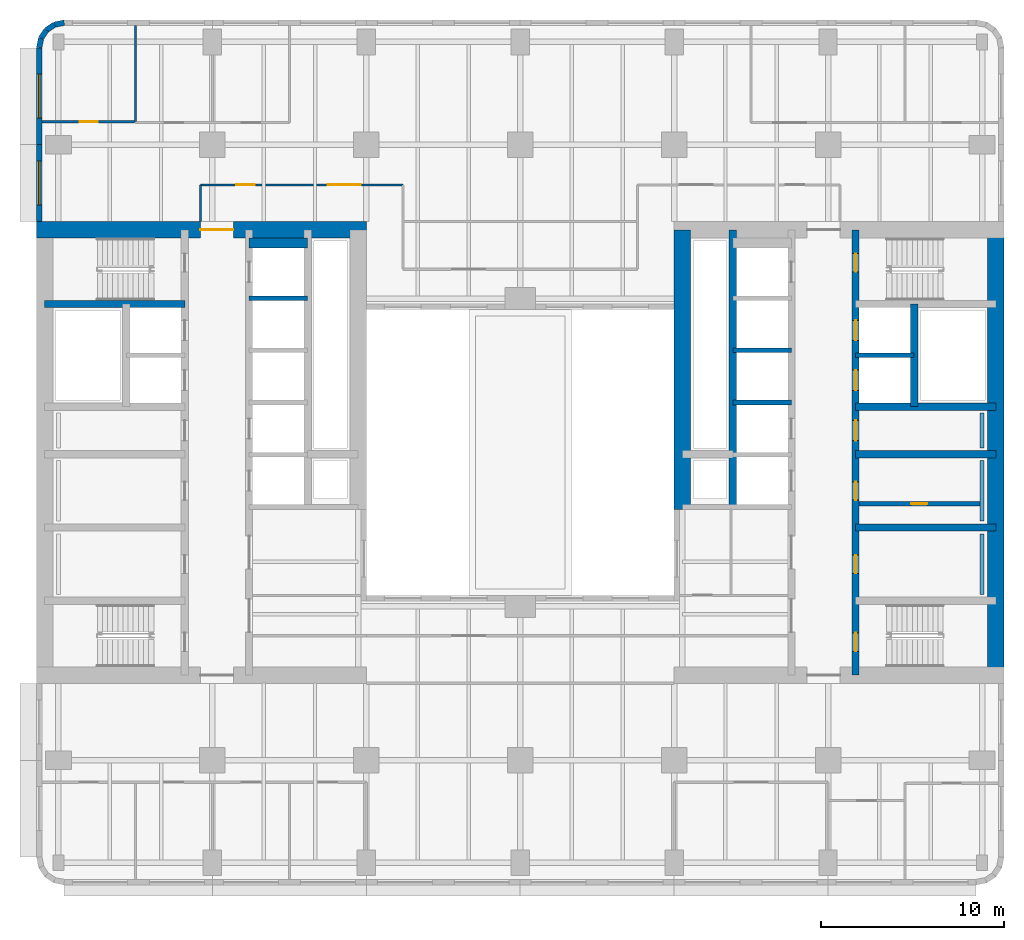
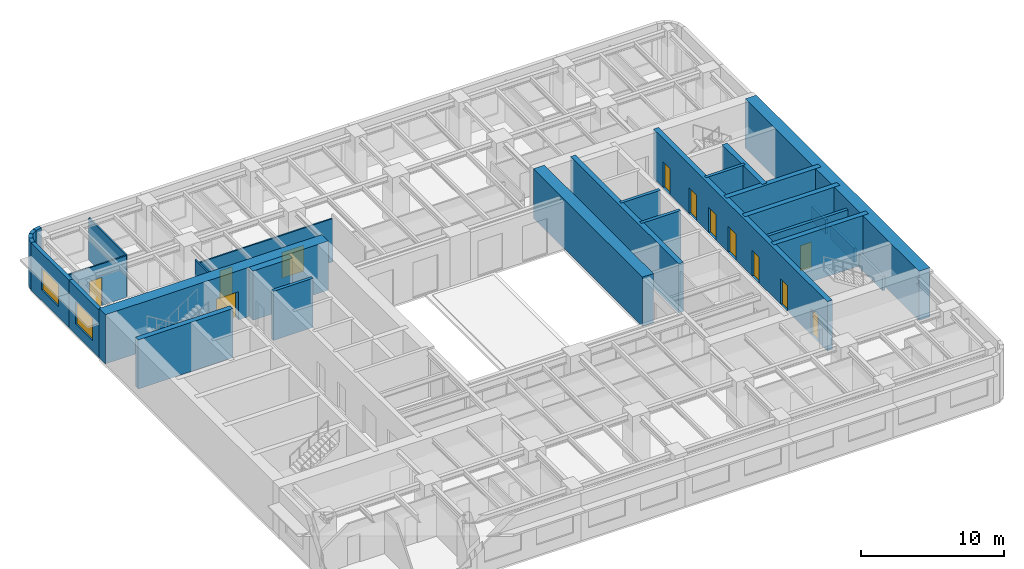
# One storey, part 6 of 14: 29 walls, 12 doors, 2 windows, 14 openings.
"""IFC4 building model written with IfcOpenShell, lengths in metres."""

import ifcopenshell
import ifcopenshell.guid

model = None  # the IFC model being written
_history = None  # IfcOwnerHistory: only IFC2X3 demands one
_inside = {}  # id of a spatial element -> (the spatial element, [elements in it])
_under = {}  # id of a project, library or spatial element -> (it, [spatial elements below it])
_declared = {}  # id of a project -> (the project, [libraries it declares])
_typed = {}  # id of a type object -> (the type object, [elements of that type])
_made_of = {}  # id of a material, layer set ... -> (it, [elements and type objects made of it])


def new_model(schema):
    """Start an empty IFC model of exactly this schema.

    Asked for "IFC4X3", IfcOpenShell would pick the latest addendum, in which some entities
    have other attributes; the version numbers below select the first issue.
    IFC2X3 requires an IfcOwnerHistory on every rooted entity: one is made here for all.
    """
    global model, _history
    if schema == "IFC4X3":
        model = ifcopenshell.file(schema_version=(4, 3, 0, 0))
    else:
        model = ifcopenshell.file(schema=schema)
    _inside.clear()
    _under.clear()
    _declared.clear()
    _typed.clear()
    _made_of.clear()
    _history = None
    if model.schema == "IFC2X3":
        org = make("IfcOrganization", Name="unknown")
        user = make(
            "IfcPersonAndOrganization",
            ThePerson=make("IfcPerson", FamilyName="unknown"),
            TheOrganization=org,
        )
        app = make(
            "IfcApplication",
            ApplicationDeveloper=org,
            Version="unknown",
            ApplicationFullName="unknown",
            ApplicationIdentifier="unknown",
        )
        _history = make(
            "IfcOwnerHistory",
            OwningUser=user,
            OwningApplication=app,
            ChangeAction="ADDED",
            CreationDate=0,
        )
    return model


def make(cls, **values):
    """One entity of the class cls with the attributes given. An attribute that is None is left unset."""
    return model.create_entity(
        cls, **{name: value for name, value in values.items() if value is not None}
    )


def rooted(cls, **values):
    """An entity with a GlobalId (a new one), such as an element, a storey or a relation."""
    return make(cls, GlobalId=ifcopenshell.guid.new(), OwnerHistory=_history, **values)


def si_unit(unit_type, name, prefix=None):
    """IfcSIUnit, for example si_unit("LENGTHUNIT", "METRE", prefix="MILLI")."""
    return make("IfcSIUnit", UnitType=unit_type, Prefix=prefix, Name=name)


def assignment(units):
    """IfcUnitAssignment: the units of a project."""
    return None if units is None else make("IfcUnitAssignment", Units=units)


def point(xyz):
    """IfcCartesianPoint."""
    return None if xyz is None else make("IfcCartesianPoint", Coordinates=xyz)


def direction(xyz):
    """IfcDirection."""
    return None if xyz is None else make("IfcDirection", DirectionRatios=xyz)


def frame(location, z_axis=None, x_axis=None):
    """IfcAxis2Placement3D, a coordinate frame: its origin and axes. An axis left out is left unset."""
    return make(
        "IfcAxis2Placement3D",
        Location=point(location),
        Axis=direction(z_axis),
        RefDirection=direction(x_axis),
    )


def frame_2d(location, x_axis=None):
    """IfcAxis2Placement2D, a coordinate frame in the plane: its origin and x axis."""
    return make(
        "IfcAxis2Placement2D", Location=point(location), RefDirection=direction(x_axis)
    )


def origin():
    """The frame at (0, 0, 0) with its axes left unset."""
    return frame((0.0, 0.0, 0.0))


def place(relative_to, where):
    """IfcLocalPlacement: puts the frame where relative to a parent placement (None: the world)."""
    return make(
        "IfcLocalPlacement", PlacementRelTo=relative_to, RelativePlacement=where
    )


def context(
    kind, dimensions, precision=None, world=None, true_north=None, identifier=None
):
    """IfcGeometricRepresentationContext, for example the 3D "Model" context."""
    return make(
        "IfcGeometricRepresentationContext",
        ContextIdentifier=identifier,
        ContextType=kind,
        CoordinateSpaceDimension=dimensions,
        Precision=precision,
        WorldCoordinateSystem=world,
        TrueNorth=true_north,
    )


def subcontext(parent, identifier, kind, view, scale=None):
    """IfcGeometricRepresentationSubContext, for example "Body" below "Model"."""
    return make(
        "IfcGeometricRepresentationSubContext",
        ContextIdentifier=identifier,
        ContextType=kind,
        ParentContext=parent,
        TargetScale=scale,
        TargetView=view,
    )


def project(units=None, contexts=None):
    """IfcProject with its units and contexts."""
    return rooted(
        "IfcProject",
        Name="project",
        RepresentationContexts=contexts,
        UnitsInContext=assignment(units),
    )


def spatial(cls, under=None, at=None, **own):
    """A site, building, storey or space (cls), placed at a placement, below another one or the project."""
    s = rooted(cls, ObjectPlacement=at, **own)
    if under is not None:
        _under.setdefault(under.id(), (under, []))[1].append(s)
    return s


def profile(cls, at=None, kind="AREA", **sizes):
    """A parametric profile (cls). Its sizes go by their IFC names, for example OverallWidth=200.0."""
    return make(cls, ProfileType=kind, Position=at, **sizes)


def rectangle(**sizes):
    """IfcRectangleProfileDef."""
    return profile("IfcRectangleProfileDef", **sizes)


def extrude(swept, where, along, depth):
    """IfcExtrudedAreaSolid: the profile swept, set in the frame where, extruded along a direction by depth."""
    return make(
        "IfcExtrudedAreaSolid",
        SweptArea=swept,
        Position=where,
        ExtrudedDirection=direction(along),
        Depth=depth,
    )


def shape(context_of_items, identifier, shape_type, items):
    """IfcShapeRepresentation: the items that make up one representation, for example the "Body"."""
    return make(
        "IfcShapeRepresentation",
        ContextOfItems=context_of_items,
        RepresentationIdentifier=identifier,
        RepresentationType=shape_type,
        Items=items,
    )


def material(Name=None, Category=None):
    """IfcMaterial."""
    return make("IfcMaterial", Name=Name, Category=Category)


def layer(
    of_material, thickness, ventilated=None, Name=None, Category=None, Priority=None
):
    """IfcMaterialLayer: one layer of a wall or slab, of a material (None: an air gap)."""
    return make(
        "IfcMaterialLayer",
        Material=of_material,
        LayerThickness=thickness,
        IsVentilated=ventilated,
        Name=Name,
        Category=Category,
        Priority=Priority,
    )


def layer_set(layers, Name=None):
    """IfcMaterialLayerSet."""
    return make("IfcMaterialLayerSet", MaterialLayers=layers, LayerSetName=Name)


def made_of(thing, what):
    """Note that an element or type object is made of a material, layer set ...; save() writes the relation."""
    if what is not None:
        _made_of.setdefault(what.id(), (what, []))[1].append(thing)
    return thing


def type_object(cls, material=None, **own):
    """A type object (cls), such as IfcWallType, which elements share."""
    return made_of(rooted(cls, **own), material)


def element(
    cls,
    number,
    at=None,
    inside=None,
    cuts=None,
    type_object=None,
    material=None,
    context=None,
    identifier="Body",
    shape_type=None,
    held_by="IfcProductDefinitionShape",
    body=None,
    shapes=None,
    **own,
):
    """One element of the class cls, such as IfcWall. Its Tag is "e" and its number.

    at: its placement. inside: the storey or other place that contains it. cuts: it is an
    opening in that element (IfcRelVoidsElement). A single representation is given by context,
    identifier, shape_type and body (its items); several are given by shapes. held_by: the class
    of the entity that holds the representations. save() writes the other relations.
    """
    e = rooted(cls, Tag="e%d" % number, ObjectPlacement=at, **own)
    if body is not None:
        shapes = [shape(context, identifier, shape_type, body)]
    if shapes is not None:
        e.Representation = make(held_by, Representations=shapes)
    if inside is not None:
        _inside.setdefault(inside.id(), (inside, []))[1].append(e)
    if cuts is not None:
        rooted(
            "IfcRelVoidsElement", RelatingBuildingElement=cuts, RelatedOpeningElement=e
        )
    if type_object is not None:
        _typed.setdefault(type_object.id(), (type_object, []))[1].append(e)
    return made_of(e, material)


def fill(opening, filler):
    """IfcRelFillsElement: the door or window that sits in an opening."""
    return rooted(
        "IfcRelFillsElement",
        RelatingOpeningElement=opening,
        RelatedBuildingElement=filler,
    )


def aggregate(whole, parts):
    """IfcRelAggregates: a whole, such as a stair, and the parts it consists of."""
    return rooted("IfcRelAggregates", RelatingObject=whole, RelatedObjects=parts)


def save(model, path):
    """Write the relations noted so far, then the file.

    IfcRelAggregates (storeys below a building ...), IfcRelContainedInSpatialStructure (elements
    in a storey), IfcRelDefinesByType, IfcRelAssociatesMaterial and IfcRelDeclares: one each for
    every whole, place, type object, material and project.
    """
    for whole, parts in _under.values():
        aggregate(whole, parts)
    for where, things in _inside.values():
        rooted(
            "IfcRelContainedInSpatialStructure",
            RelatedElements=things,
            RelatingStructure=where,
        )
    for kind, things in _typed.values():
        rooted("IfcRelDefinesByType", RelatedObjects=things, RelatingType=kind)
    for what, things in _made_of.values():
        rooted("IfcRelAssociatesMaterial", RelatedObjects=things, RelatingMaterial=what)
    for by, libraries in _declared.values():
        rooted("IfcRelDeclares", RelatingContext=by, RelatedDefinitions=libraries)
    model.write(path)


model = new_model("IFC4")

# Units and contexts
model_context = context("Model", 3, precision=1e-05, world=origin(), true_north=direction((0.0, 1.0)))
body_context = subcontext(model_context, "Body", "Model", "MODEL_VIEW")
ifc_project = project(units=[si_unit("LENGTHUNIT", "METRE"), si_unit("AREAUNIT", "SQUARE_METRE"), si_unit("VOLUMEUNIT", "CUBIC_METRE"), si_unit("PLANEANGLEUNIT", "RADIAN"), si_unit("MASSUNIT", "GRAM", prefix="KILO")], contexts=[model_context])

# Site, building, storey
site_placement = place(None, origin())
site = spatial("IfcSite", under=ifc_project, at=site_placement, CompositionType="ELEMENT")
building_placement = place(site_placement, origin())
building = spatial("IfcBuilding", under=site, at=building_placement, Name="Claustro Exchange Tower", CompositionType="ELEMENT")
storey_placement = place(building_placement, frame((0.0, 0.0, 100.800048828125)))
storey = spatial("IfcBuildingStorey", under=building, at=storey_placement, Name="L22", CompositionType="ELEMENT", Elevation=100.800048828125)

# Wall, opening, door
ifc_material_1 = material(Name="Laminated glass in aluminium frame", Category="aluminium")
ifc_layer_1 = layer(ifc_material_1, 0.1201171875)
ifc_layer_set_1 = layer_set([ifc_layer_1], Name="Laminated glass in aluminium frame")
wall_type_1 = type_object("IfcWallType", Name="P2 120 glazed partition", PredefinedType="PARTITIONING", material=ifc_layer_set_1)
wall_1_placement = place(storey_placement, frame((-0.902099609375, 43.25, 0.0), z_axis=(0.0, 0.0, 1.0), x_axis=(1.0, 0.0, 0.0)))
wall_1 = element("IfcWall", 1, at=wall_1_placement, inside=storey, type_object=wall_type_1, Name="Partition P2 L22", PredefinedType="PARTITIONING", context=body_context, shape_type="SweptSolid", body=[
    extrude(rectangle(XDim=5.044189453125, YDim=0.1201171875, at=frame_2d((2.52197265625, 0.0))), origin(), (0.0, 0.0, 1.0), 3.56005859375),
])
opening_1_placement = place(wall_1_placement, frame((2.052001953125, 0.0, 0.0)))
opening_1 = element("IfcOpeningElement", 2, at=opening_1_placement, cuts=wall_1, Name="Opening D7", PredefinedType="OPENING", context=body_context, shape_type="SweptSolid", body=[
    extrude(rectangle(XDim=1.0, YDim=2.39990234375, at=frame_2d((0.5, 1.199951171875))), frame((0.0, 0.070068359375, 0.0), z_axis=(0.0, -1.0, 0.0), x_axis=(1.0, 0.0, 0.0)), (0.0, 0.0, 1.0), 0.14013671875),
])
ifc_material_2 = material(Name="Glass door in aluminium frame", Category="aluminium")
door_type_1 = type_object("IfcDoorType", Name="D7 1000 x 2400 glazed door", OperationType="SINGLE_SWING_LEFT", PredefinedType="DOOR", material=ifc_material_2)
door_1_placement = place(opening_1_placement, origin())
door_1 = element("IfcDoor", 3, at=door_1_placement, inside=storey, type_object=door_type_1, Name="Door D7 L22", OperationType="SINGLE_SWING_RIGHT", OverallHeight=2.39990234375, OverallWidth=1.0, PredefinedType="DOOR", context=body_context, shape_type="SweptSolid", body=[
    extrude(rectangle(XDim=1.0, YDim=2.39990234375, at=frame_2d((0.5, 1.199951171875))), frame((0.0, 0.02490234375, 0.0), z_axis=(0.0, -1.0, 0.0), x_axis=(1.0, 0.0, 0.0)), (0.0, 0.0, 1.0), 0.050048828125),
])
fill(opening_1, door_1)

# Wall
wall_2_placement = place(storey_placement, frame((4.199951171875, 43.258056640625, 0.0), z_axis=(0.0, 0.0, 1.0), x_axis=(0.0, 1.0, 0.0)))
element("IfcWall", 4, at=wall_2_placement, inside=storey, type_object=wall_type_1, Name="Partition P2 L22", PredefinedType="PARTITIONING", context=body_context, shape_type="SweptSolid", body=[
    extrude(rectangle(XDim=5.243896484375, YDim=0.1201171875, at=frame_2d((2.6220703125, 0.0))), origin(), (0.0, 0.0, 1.0), 3.56005859375),
])

# Wall, openings, doors
wall_3_placement = place(storey_placement, frame((7.75, 39.800048828125, 0.0), z_axis=(0.0, 0.0, 1.0), x_axis=(1.0, 0.0, 0.0)))
wall_3 = element("IfcWall", 5, at=wall_3_placement, inside=storey, type_object=wall_type_1, Name="Partition P2 L22", PredefinedType="PARTITIONING", context=body_context, shape_type="SweptSolid", body=[
    extrude(rectangle(XDim=11.050048828125, YDim=0.1201171875, at=frame_2d((5.52490234375, 0.0))), origin(), (0.0, 0.0, 1.0), 3.68994140625),
])
opening_2_placement = place(wall_3_placement, frame((1.949951171875, 0.0, 0.0)))
opening_2 = element("IfcOpeningElement", 6, at=opening_2_placement, cuts=wall_3, Name="Opening D7", PredefinedType="OPENING", context=body_context, shape_type="SweptSolid", body=[
    extrude(rectangle(XDim=1.0, YDim=2.39990234375, at=frame_2d((0.5, 1.199951171875))), frame((0.0, 0.070068359375, 0.0), z_axis=(0.0, -1.0, 0.0), x_axis=(1.0, 0.0, 0.0)), (0.0, 0.0, 1.0), 0.14013671875),
])
opening_3_placement = place(wall_3_placement, frame((6.949951171875, 0.0, 0.0)))
opening_3 = element("IfcOpeningElement", 7, at=opening_3_placement, cuts=wall_3, Name="Opening D2", PredefinedType="OPENING", context=body_context, shape_type="SweptSolid", body=[
    extrude(rectangle(XDim=1.800048828125, YDim=2.199951171875, at=frame_2d((0.89990234375, 1.10009765625))), frame((0.0, 0.070068359375, 0.0), z_axis=(0.0, -1.0, 0.0), x_axis=(1.0, 0.0, 0.0)), (0.0, 0.0, 1.0), 0.14013671875),
])
ifc_material_3 = material(Name="Timber door, oak veneer", Category="wood")
door_type_2 = type_object("IfcDoorType", Name="D2 1800 x 2200 double door", OperationType="DOUBLE_DOOR_SINGLE_SWING", PredefinedType="DOOR", material=ifc_material_3)
door_2_placement = place(opening_3_placement, origin())
door_2 = element("IfcDoor", 8, at=door_2_placement, inside=storey, type_object=door_type_2, Name="Double door D2 L22", OperationType="DOUBLE_DOOR_SINGLE_SWING", OverallHeight=2.199951171875, OverallWidth=1.800048828125, PredefinedType="DOOR", context=body_context, shape_type="SweptSolid", body=[
    extrude(rectangle(XDim=1.800048828125, YDim=2.199951171875, at=frame_2d((0.89990234375, 1.10009765625))), frame((0.0, 0.02490234375, 0.0), z_axis=(0.0, -1.0, 0.0), x_axis=(1.0, 0.0, 0.0)), (0.0, 0.0, 1.0), 0.050048828125),
])
fill(opening_3, door_2)
door_3_placement = place(opening_2_placement, origin())
door_3 = element("IfcDoor", 9, at=door_3_placement, inside=storey, type_object=door_type_1, Name="Door D7 L22", OperationType="SINGLE_SWING_LEFT", OverallHeight=2.39990234375, OverallWidth=1.0, PredefinedType="DOOR", context=body_context, shape_type="SweptSolid", body=[
    extrude(rectangle(XDim=1.0, YDim=2.39990234375, at=frame_2d((0.5, 1.199951171875))), frame((0.0, 0.02490234375, 0.0), z_axis=(0.0, -1.0, 0.0), x_axis=(1.0, 0.0, 0.0)), (0.0, 0.0, 1.0), 0.050048828125),
])
fill(opening_2, door_3)

# Wall
wall_4_placement = place(storey_placement, frame((7.75, 37.800048828125, 0.0), z_axis=(0.0, 0.0, 1.0), x_axis=(0.0, 1.0, 0.0)))
element("IfcWall", 10, at=wall_4_placement, inside=storey, type_object=wall_type_1, Name="Partition P2 L22", PredefinedType="PARTITIONING", context=body_context, shape_type="SweptSolid", body=[
    extrude(rectangle(XDim=2.0, YDim=0.1201171875, at=frame_2d((1.0, 0.0))), origin(), (0.0, 0.0, 1.0), 4.050048828125),
])

# Wall, opening, door
ifc_material_4 = material(Name="Concrete blockwork, rendered", Category="masonry")
ifc_layer_2 = layer(ifc_material_4, 0.25)
ifc_layer_set_2 = layer_set([ifc_layer_2], Name="Concrete blockwork, rendered")
wall_type_2 = type_object("IfcWallType", Name="P4 250 blockwork wall", PredefinedType="PARTITIONING", material=ifc_layer_set_2)
wall_5_placement = place(storey_placement, frame((43.699951171875, 22.39990234375, 0.0), z_axis=(0.0, 0.0, 1.0), x_axis=(1.0, 0.0, 0.0)))
wall_5 = element("IfcWall", 11, at=wall_5_placement, inside=storey, type_object=wall_type_2, Name="Partition P4 L22", PredefinedType="PARTITIONING", context=body_context, shape_type="SweptSolid", body=[
    extrude(rectangle(XDim=6.60009765625, YDim=0.25, at=frame_2d((3.300048828125, 0.0))), origin(), (0.0, 0.0, 1.0), 4.0),
])
opening_4_placement = place(wall_5_placement, frame((2.824951171875, 0.0, 0.0)))
opening_4 = element("IfcOpeningElement", 12, at=opening_4_placement, cuts=wall_5, Name="Opening D5", PredefinedType="OPENING", context=body_context, shape_type="SweptSolid", body=[
    extrude(rectangle(XDim=0.89990234375, YDim=2.199951171875, at=frame_2d((0.449951171875, 1.10009765625))), frame((0.0, 0.135009765625, 0.0), z_axis=(0.0, -1.0, 0.0), x_axis=(1.0, 0.0, 0.0)), (0.0, 0.0, 1.0), 0.27001953125),
])
ifc_material_5 = material(Name="Steel door, painted", Category="steel")
door_type_3 = type_object("IfcDoorType", Name="D5 900 x 2200 store door", OperationType="SINGLE_SWING_LEFT", PredefinedType="DOOR", material=ifc_material_5)
door_4_placement = place(opening_4_placement, frame((0.89990234375, 0.0, 0.0), z_axis=(0.0, 0.0, 1.0), x_axis=(-1.0, 0.0, 0.0)))
door_4 = element("IfcDoor", 13, at=door_4_placement, inside=storey, type_object=door_type_3, Name="Store door D5 L22", OperationType="SINGLE_SWING_LEFT", OverallHeight=2.199951171875, OverallWidth=0.89990234375, PredefinedType="DOOR", context=body_context, shape_type="SweptSolid", body=[
    extrude(rectangle(XDim=0.89990234375, YDim=2.199951171875, at=frame_2d((0.449951171875, 1.10009765625))), frame((0.0, 0.02490234375, 0.0), z_axis=(0.0, -1.0, 0.0), x_axis=(1.0, 0.0, 0.0)), (0.0, 0.0, 1.0), 0.050048828125),
])
fill(opening_4, door_4)

# Wall, opening, window
ifc_material_6 = material(Name="Concrete HA-40 (C40/50), precast, white cement, acid-etched", Category="concrete")
ifc_layer_3 = layer(ifc_material_6, 0.300048828125)
ifc_layer_set_3 = layer_set([ifc_layer_3], Name="Concrete HA-40 (C40/50), precast, white cement, acid-etched")
wall_type_3 = type_object("IfcWallType", Name="PC1 300 precast concrete pier panel", PredefinedType="SOLIDWALL", material=ifc_layer_set_3)
wall_6_placement = place(storey_placement, frame((-1.050048828125, 37.800048828125, 0.0), z_axis=(0.0, 0.0, 1.0), x_axis=(0.0, 1.0, 0.0)))
wall_6 = element("IfcWall", 14, at=wall_6_placement, inside=storey, type_object=wall_type_3, Name="Precast pier panel PC1 L22", PredefinedType="SOLIDWALL", context=body_context, shape_type="SweptSolid", body=[
    extrude(rectangle(XDim=4.199951171875, YDim=0.300048828125, at=frame_2d((2.10009765625, 0.0))), origin(), (0.0, 0.0, 1.0), 4.050048828125),
])
opening_5_placement = place(wall_6_placement, frame((0.89990234375, 0.0, 0.89990234375)))
opening_5 = element("IfcOpeningElement", 15, at=opening_5_placement, cuts=wall_6, Name="Opening W2", PredefinedType="OPENING", context=body_context, shape_type="SweptSolid", body=[
    extrude(rectangle(XDim=2.39990234375, YDim=1.89990234375, at=frame_2d((1.199951171875, 0.949951171875))), frame((0.0, 0.159912109375, 0.0), z_axis=(0.0, -1.0, 0.0), x_axis=(1.0, 0.0, 0.0)), (0.0, 0.0, 1.0), 0.320068359375),
])
ifc_material_7 = material(Name="Aluminium frame, clear double glazing", Category="aluminium")
window_type = type_object("IfcWindowType", Name="W2 2400 x 1900 window", PartitioningType="SINGLE_PANEL", PredefinedType="WINDOW", material=ifc_material_7)
window_1_placement = place(opening_5_placement, origin())
window_1 = element("IfcWindow", 16, at=window_1_placement, inside=storey, type_object=window_type, Name="Window W2 L22", OverallHeight=1.89990234375, OverallWidth=2.39990234375, PartitioningType="SINGLE_PANEL", PredefinedType="WINDOW", context=body_context, shape_type="SweptSolid", body=[
    extrude(rectangle(XDim=2.39990234375, YDim=1.89990234375, at=frame_2d((1.199951171875, 0.949951171875))), frame((0.0, 0.030029296875, 0.0), z_axis=(0.0, -1.0, 0.0), x_axis=(1.0, 0.0, 0.0)), (0.0, 0.0, 1.0), 0.06005859375),
])
fill(opening_5, window_1)

wall_7_placement = place(storey_placement, frame((-1.050048828125, 42.0, 0.0), z_axis=(0.0, 0.0, 1.0), x_axis=(0.0, 1.0, 0.0)))
wall_7 = element("IfcWall", 17, at=wall_7_placement, inside=storey, type_object=wall_type_3, Name="Precast pier panel PC1 L22", PredefinedType="SOLIDWALL", context=body_context, shape_type="SweptSolid", body=[
    extrude(rectangle(XDim=5.28515625, YDim=0.300048828125, at=frame_2d((2.642578125, 0.0))), origin(), (0.0, 0.0, 1.0), 4.050048828125),
])
opening_6_placement = place(wall_7_placement, frame((1.442626953125, 0.0, 0.89990234375)))
opening_6 = element("IfcOpeningElement", 18, at=opening_6_placement, cuts=wall_7, Name="Opening W2", PredefinedType="OPENING", context=body_context, shape_type="SweptSolid", body=[
    extrude(rectangle(XDim=2.39990234375, YDim=1.89990234375, at=frame_2d((1.199951171875, 0.949951171875))), frame((0.0, 0.159912109375, 0.0), z_axis=(0.0, -1.0, 0.0), x_axis=(1.0, 0.0, 0.0)), (0.0, 0.0, 1.0), 0.320068359375),
])
window_2_placement = place(opening_6_placement, origin())
window_2 = element("IfcWindow", 19, at=window_2_placement, inside=storey, type_object=window_type, Name="Window W2 L22", OverallHeight=1.89990234375, OverallWidth=2.39990234375, PartitioningType="SINGLE_PANEL", PredefinedType="WINDOW", context=body_context, shape_type="SweptSolid", body=[
    extrude(rectangle(XDim=2.39990234375, YDim=1.89990234375, at=frame_2d((1.199951171875, 0.949951171875))), frame((0.0, 0.030029296875, 0.0), z_axis=(0.0, -1.0, 0.0), x_axis=(1.0, 0.0, 0.0)), (0.0, 0.0, 1.0), 0.06005859375),
])
fill(opening_6, window_2)

# Walls
wall_8_placement = place(storey_placement, frame((-1.050048828125, 47.28515625, 0.0), z_axis=(0.0, 0.0, 1.0), x_axis=(0.195073962632, 0.980788534345, 0.0)))
element("IfcWall", 20, at=wall_8_placement, inside=storey, type_object=wall_type_3, Name="Precast pier panel PC1 L22", PredefinedType="SOLIDWALL", context=body_context, shape_type="SweptSolid", body=[
    extrude(rectangle(XDim=0.540771484375, YDim=0.300048828125, at=frame_2d((0.2705078125, 0.0))), origin(), (0.0, 0.0, 1.0), 4.050048828125),
])
wall_9_placement = place(storey_placement, frame((-0.944580078125, 47.8154296875, 0.0), z_axis=(0.0, 0.0, 1.0), x_axis=(0.55534295404, 0.831621430339, 0.0)))
element("IfcWall", 21, at=wall_9_placement, inside=storey, type_object=wall_type_3, Name="Precast pier panel PC1 L22", PredefinedType="SOLIDWALL", context=body_context, shape_type="SweptSolid", body=[
    extrude(rectangle(XDim=0.52587890625, YDim=0.300048828125, at=frame_2d((0.262939453125, 0.0))), origin(), (0.0, 0.0, 1.0), 4.050048828125),
])
wall_10_placement = place(storey_placement, frame((-0.652587890625, 48.252685546875, 0.0), z_axis=(0.0, 0.0, 1.0), x_axis=(0.831692711774, 0.555236195849, 0.0)))
element("IfcWall", 22, at=wall_10_placement, inside=storey, type_object=wall_type_3, Name="Precast pier panel PC1 L22", PredefinedType="SOLIDWALL", context=body_context, shape_type="SweptSolid", body=[
    extrude(rectangle(XDim=0.525390625, YDim=0.300048828125, at=frame_2d((0.2626953125, 0.0))), origin(), (0.0, 0.0, 1.0), 4.050048828125),
])
wall_11_placement = place(storey_placement, frame((-0.215576171875, 48.54443359375, 0.0), z_axis=(0.0, 0.0, 1.0), x_axis=(0.980788534345, 0.195073962632, 0.0)))
element("IfcWall", 23, at=wall_11_placement, inside=storey, type_object=wall_type_3, Name="Precast pier panel PC1 L22", PredefinedType="SOLIDWALL", context=body_context, shape_type="SweptSolid", body=[
    extrude(rectangle(XDim=0.540771484375, YDim=0.300048828125, at=frame_2d((0.2705078125, 0.0))), origin(), (0.0, 0.0, 1.0), 4.050048828125),
])
ifc_material_8 = material(Name="Gypsum board on steel studs, tiled", Category="steel")
ifc_layer_4 = layer(ifc_material_8, 0.199951171875)
ifc_layer_set_4 = layer_set([ifc_layer_4], Name="Gypsum board on steel studs, tiled")
wall_type_4 = type_object("IfcWallType", Name="PW1 200 WC duct wall", PredefinedType="PLUMBINGWALL", material=ifc_layer_set_4)
for number, where, z_axis, x_axis, name in (
    (24, (50.39990234375, 17.449951171875, 0.0), (0.0, 0.0, 1.0), (0.0, 1.0, 0.0), "WC duct wall PW1 L22"),
    (25, (50.39990234375, 21.449951171875, 0.0), (0.0, 0.0, 1.0), (0.0, 1.0, 0.0), "WC duct wall PW1 L22"),
):
    element("IfcWall", number, at=place(storey_placement, frame(where, z_axis=z_axis, x_axis=x_axis)), inside=storey, type_object=wall_type_4, Name=name, PredefinedType="PLUMBINGWALL", context=body_context, shape_type="SweptSolid", body=[
        extrude(rectangle(XDim=3.300048828125, YDim=0.199951171875, at=frame_2d((1.64990234375, 0.0))), origin(), (0.0, 0.0, 1.0), 1.199951171875),
    ])
wall_12_placement = place(storey_placement, frame((50.39990234375, 25.449951171875, 0.0), z_axis=(0.0, 0.0, 1.0), x_axis=(0.0, 1.0, 0.0)))
element("IfcWall", 26, at=wall_12_placement, inside=storey, type_object=wall_type_4, Name="WC duct wall PW1 L22", PredefinedType="PLUMBINGWALL", context=body_context, shape_type="SweptSolid", body=[
    extrude(rectangle(XDim=1.900146484375, YDim=0.199951171875, at=frame_2d((0.9501953125, 0.0))), origin(), (0.0, 0.0, 1.0), 1.199951171875),
])

# Wall, opening, door
ifc_material_9 = material(Name="Concrete HA-70 (C70/85)", Category="concrete")
ifc_layer_5 = layer(ifc_material_9, 0.89990234375)
ifc_layer_set_5 = layer_set([ifc_layer_5], Name="Concrete HA-70 (C70/85)")
wall_type_5 = type_object("IfcWallType", Name="SW1 900 core shear wall", PredefinedType="SHEAR", material=ifc_layer_set_5)
wall_13_placement = place(storey_placement, frame((-1.199951171875, 37.35009765625, 0.0), z_axis=(0.0, 0.0, 1.0), x_axis=(1.0, 0.0, 0.0)))
wall_13 = element("IfcWall", 27, at=wall_13_placement, inside=storey, type_object=wall_type_5, Name="Core wall SW1 W core N face L22", PredefinedType="SHEAR", context=body_context, shape_type="SweptSolid", body=[
    extrude(rectangle(XDim=18.0, YDim=0.89990234375, at=frame_2d((9.0, 0.0))), origin(), (0.0, 0.0, 1.0), 4.199951171875),
])
opening_7_placement = place(wall_13_placement, frame((8.949951171875, 0.0, 0.0)))
opening_7 = element("IfcOpeningElement", 28, at=opening_7_placement, cuts=wall_13, Name="Opening D3", PredefinedType="OPENING", context=body_context, shape_type="SweptSolid", body=[
    extrude(rectangle(XDim=1.800048828125, YDim=2.39990234375, at=frame_2d((0.89990234375, 1.199951171875))), frame((0.0, 0.4599609375, 0.0), z_axis=(0.0, -1.0, 0.0), x_axis=(1.0, 0.0, 0.0)), (0.0, 0.0, 1.0), 0.919921875),
])
ifc_material_10 = material(Name="Steel fire door, painted", Category="steel")
door_type_4 = type_object("IfcDoorType", Name="D3 1800 x 2400 fire-rated lobby double door", OperationType="DOUBLE_DOOR_SINGLE_SWING", PredefinedType="DOOR", material=ifc_material_10)
door_5_placement = place(opening_7_placement, frame((1.800048828125, 0.0, 0.0), z_axis=(0.0, 0.0, 1.0), x_axis=(-1.0, 0.0, 0.0)))
door_5 = element("IfcDoor", 29, at=door_5_placement, inside=storey, type_object=door_type_4, Name="Lift lobby door D3 L22", OperationType="DOUBLE_DOOR_SINGLE_SWING", OverallHeight=2.39990234375, OverallWidth=1.800048828125, PredefinedType="DOOR", context=body_context, shape_type="SweptSolid", body=[
    extrude(rectangle(XDim=1.800048828125, YDim=2.39990234375, at=frame_2d((0.89990234375, 1.199951171875))), frame((0.0, 0.02490234375, 0.0), z_axis=(0.0, -1.0, 0.0), x_axis=(1.0, 0.0, 0.0)), (0.0, 0.0, 1.0), 0.050048828125),
])
fill(opening_7, door_5)

# Walls
ifc_material_11 = material(Name="Concrete HA-70 (C70/85)", Category="concrete")
ifc_layer_6 = layer(ifc_material_11, 0.89990234375)
ifc_layer_set_6 = layer_set([ifc_layer_6], Name="Concrete HA-70 (C70/85)")
wall_type_6 = type_object("IfcWallType", Name="SW1X 900 exposed core shear wall, board-marked face", PredefinedType="SHEAR", material=ifc_layer_set_6)
wall_14_placement = place(storey_placement, frame((34.050048828125, 22.10009765625, 0.0), z_axis=(0.0, 0.0, 1.0), x_axis=(0.0, 1.0, 0.0)))
element("IfcWall", 30, at=wall_14_placement, inside=storey, type_object=wall_type_6, Name="Core wall SW1X E core W face L22", PredefinedType="SHEAR", context=body_context, shape_type="SweptSolid", body=[
    extrude(rectangle(XDim=15.25, YDim=0.89990234375, at=frame_2d((7.625, 0.0))), origin(), (0.0, 0.0, 1.0), 4.199951171875),
])
wall_15_placement = place(storey_placement, frame((51.14990234375, 13.050048828125, 0.0), z_axis=(0.0, 0.0, 1.0), x_axis=(0.0, 1.0, 0.0)))
element("IfcWall", 31, at=wall_15_placement, inside=storey, type_object=wall_type_6, Name="Core wall SW1X E core E face L22", PredefinedType="SHEAR", context=body_context, shape_type="SweptSolid", body=[
    extrude(rectangle(XDim=24.300048828125, YDim=0.89990234375, at=frame_2d((12.14990234375, 0.0))), origin(), (0.0, 0.0, 1.0), 4.199951171875),
])
ifc_material_12 = material(Name="Concrete HA-50 (C50/60)", Category="concrete")
ifc_layer_7 = layer(ifc_material_12, 0.39990234375)
ifc_layer_set_7 = layer_set([ifc_layer_7], Name="Concrete HA-50 (C50/60)")
wall_type_7 = type_object("IfcWallType", Name="SW4 400 internal core wall", PredefinedType="SHEAR", material=ifc_layer_set_7)
wall_16_placement = place(storey_placement, frame((-0.75, 33.300048828125, 0.0), z_axis=(0.0, 0.0, 1.0), x_axis=(1.0, 0.0, 0.0)))
element("IfcWall", 32, at=wall_16_placement, inside=storey, type_object=wall_type_7, Name="Internal core wall SW4 W core L22", PredefinedType="SHEAR", context=body_context, shape_type="SweptSolid", body=[
    extrude(rectangle(XDim=7.64990234375, YDim=0.39990234375, at=frame_2d((3.824951171875, 0.0))), origin(), (0.0, 0.0, 1.0), 4.199951171875),
])

# Wall, openings, doors
wall_17_placement = place(storey_placement, frame((43.5, 13.050048828125, 0.0), z_axis=(0.0, 0.0, 1.0), x_axis=(0.0, 1.0, 0.0)))
wall_17 = element("IfcWall", 33, at=wall_17_placement, inside=storey, type_object=wall_type_7, Name="Internal core wall SW4 E core L22", PredefinedType="SHEAR", context=body_context, shape_type="SweptSolid", body=[
    extrude(rectangle(XDim=24.300048828125, YDim=0.39990234375, at=frame_2d((12.14990234375, 0.0))), origin(), (0.0, 0.0, 1.0), 4.199951171875),
])
opening_8_placement = place(wall_17_placement, frame((1.300048828125, 0.0, 0.0)))
opening_8 = element("IfcOpeningElement", 34, at=opening_8_placement, cuts=wall_17, Name="Opening D4", PredefinedType="OPENING", context=body_context, shape_type="SweptSolid", body=[
    extrude(rectangle(XDim=1.0, YDim=2.199951171875, at=frame_2d((0.5, 1.10009765625))), frame((0.0, 0.2099609375, 0.0), z_axis=(0.0, -1.0, 0.0), x_axis=(1.0, 0.0, 0.0)), (0.0, 0.0, 1.0), 0.419921875),
])
opening_9_placement = place(wall_17_placement, frame((22.0, 0.0, 0.0)))
opening_9 = element("IfcOpeningElement", 35, at=opening_9_placement, cuts=wall_17, Name="Opening D4", PredefinedType="OPENING", context=body_context, shape_type="SweptSolid", body=[
    extrude(rectangle(XDim=1.0, YDim=2.199951171875, at=frame_2d((0.5, 1.10009765625))), frame((0.0, 0.2099609375, 0.0), z_axis=(0.0, -1.0, 0.0), x_axis=(1.0, 0.0, 0.0)), (0.0, 0.0, 1.0), 0.419921875),
])
opening_10_placement = place(wall_17_placement, frame((5.550048828125, 0.0, 0.0)))
opening_10 = element("IfcOpeningElement", 36, at=opening_10_placement, cuts=wall_17, Name="Opening D1", PredefinedType="OPENING", context=body_context, shape_type="SweptSolid", body=[
    extrude(rectangle(XDim=1.0, YDim=2.199951171875, at=frame_2d((0.5, 1.10009765625))), frame((0.0, 0.2099609375, 0.0), z_axis=(0.0, -1.0, 0.0), x_axis=(1.0, 0.0, 0.0)), (0.0, 0.0, 1.0), 0.419921875),
])
opening_11_placement = place(wall_17_placement, frame((9.550048828125, 0.0, 0.0)))
opening_11 = element("IfcOpeningElement", 37, at=opening_11_placement, cuts=wall_17, Name="Opening D1", PredefinedType="OPENING", context=body_context, shape_type="SweptSolid", body=[
    extrude(rectangle(XDim=1.0, YDim=2.199951171875, at=frame_2d((0.5, 1.10009765625))), frame((0.0, 0.2099609375, 0.0), z_axis=(0.0, -1.0, 0.0), x_axis=(1.0, 0.0, 0.0)), (0.0, 0.0, 1.0), 0.419921875),
])
opening_12_placement = place(wall_17_placement, frame((12.800048828125, 0.0, 0.0)))
opening_12 = element("IfcOpeningElement", 38, at=opening_12_placement, cuts=wall_17, Name="Opening D10", PredefinedType="OPENING", context=body_context, shape_type="SweptSolid", body=[
    extrude(rectangle(XDim=1.10009765625, YDim=2.199951171875, at=frame_2d((0.550048828125, 1.10009765625))), frame((0.0, 0.2099609375, 0.0), z_axis=(0.0, -1.0, 0.0), x_axis=(1.0, 0.0, 0.0)), (0.0, 0.0, 1.0), 0.419921875),
])
opening_13_placement = place(wall_17_placement, frame((15.53759765625, 0.0, 0.0)))
opening_13 = element("IfcOpeningElement", 39, at=opening_13_placement, cuts=wall_17, Name="Opening LD", PredefinedType="OPENING", context=body_context, shape_type="SweptSolid", body=[
    extrude(rectangle(XDim=1.10009765625, YDim=2.199951171875, at=frame_2d((0.550048828125, 1.10009765625))), frame((0.0, 0.2099609375, 0.0), z_axis=(0.0, -1.0, 0.0), x_axis=(1.0, 0.0, 0.0)), (0.0, 0.0, 1.0), 0.419921875),
])
opening_14_placement = place(wall_17_placement, frame((18.262451171875, 0.0, 0.0)))
opening_14 = element("IfcOpeningElement", 40, at=opening_14_placement, cuts=wall_17, Name="Opening LD", PredefinedType="OPENING", context=body_context, shape_type="SweptSolid", body=[
    extrude(rectangle(XDim=1.10009765625, YDim=2.199951171875, at=frame_2d((0.550048828125, 1.10009765625))), frame((0.0, 0.2099609375, 0.0), z_axis=(0.0, -1.0, 0.0), x_axis=(1.0, 0.0, 0.0)), (0.0, 0.0, 1.0), 0.419921875),
])
ifc_material_13 = material(Name="Timber door, oak veneer", Category="wood")
door_type_5 = type_object("IfcDoorType", Name="D1 1000 x 2200 single door", OperationType="SINGLE_SWING_LEFT", PredefinedType="DOOR", material=ifc_material_13)
door_6_placement = place(opening_10_placement, frame((1.0, 0.0, 0.0), z_axis=(0.0, 0.0, 1.0), x_axis=(-1.0, 0.0, 0.0)))
door_6 = element("IfcDoor", 41, at=door_6_placement, inside=storey, type_object=door_type_5, Name="Door D1 L22", OperationType="SINGLE_SWING_LEFT", OverallHeight=2.199951171875, OverallWidth=1.0, PredefinedType="DOOR", context=body_context, shape_type="SweptSolid", body=[
    extrude(rectangle(XDim=1.0, YDim=2.199951171875, at=frame_2d((0.5, 1.10009765625))), frame((0.0, 0.02490234375, 0.0), z_axis=(0.0, -1.0, 0.0), x_axis=(1.0, 0.0, 0.0)), (0.0, 0.0, 1.0), 0.050048828125),
])
fill(opening_10, door_6)
door_7_placement = place(opening_11_placement, frame((1.0, 0.0, 0.0), z_axis=(0.0, 0.0, 1.0), x_axis=(-1.0, 0.0, 0.0)))
door_7 = element("IfcDoor", 42, at=door_7_placement, inside=storey, type_object=door_type_5, Name="Door D1 L22", OperationType="SINGLE_SWING_RIGHT", OverallHeight=2.199951171875, OverallWidth=1.0, PredefinedType="DOOR", context=body_context, shape_type="SweptSolid", body=[
    extrude(rectangle(XDim=1.0, YDim=2.199951171875, at=frame_2d((0.5, 1.10009765625))), frame((0.0, 0.02490234375, 0.0), z_axis=(0.0, -1.0, 0.0), x_axis=(1.0, 0.0, 0.0)), (0.0, 0.0, 1.0), 0.050048828125),
])
fill(opening_11, door_7)
ifc_material_14 = material(Name="Timber door, oak veneer", Category="wood")
door_type_6 = type_object("IfcDoorType", Name="D10 1100 x 2200 accessible WC door", OperationType="SINGLE_SWING_LEFT", PredefinedType="DOOR", material=ifc_material_14)
door_8_placement = place(opening_12_placement, origin())
door_8 = element("IfcDoor", 43, at=door_8_placement, inside=storey, type_object=door_type_6, Name="Accessible WC door D10 L22", OperationType="SINGLE_SWING_RIGHT", OverallHeight=2.199951171875, OverallWidth=1.10009765625, PredefinedType="DOOR", context=body_context, shape_type="SweptSolid", body=[
    extrude(rectangle(XDim=1.10009765625, YDim=2.199951171875, at=frame_2d((0.550048828125, 1.10009765625))), frame((0.0, 0.02490234375, 0.0), z_axis=(0.0, -1.0, 0.0), x_axis=(1.0, 0.0, 0.0)), (0.0, 0.0, 1.0), 0.050048828125),
])
fill(opening_12, door_8)
ifc_material_15 = material(Name="Steel fire door, painted", Category="steel")
door_type_7 = type_object("IfcDoorType", Name="D4 1000 x 2200 fire-rated stair door", OperationType="SINGLE_SWING_LEFT", PredefinedType="DOOR", material=ifc_material_15)
door_9_placement = place(opening_8_placement, frame((1.0, 0.0, 0.0), z_axis=(0.0, 0.0, 1.0), x_axis=(-1.0, 0.0, 0.0)))
door_9 = element("IfcDoor", 44, at=door_9_placement, inside=storey, type_object=door_type_7, Name="Stair door D4 L22", OperationType="SINGLE_SWING_RIGHT", OverallHeight=2.199951171875, OverallWidth=1.0, PredefinedType="DOOR", context=body_context, shape_type="SweptSolid", body=[
    extrude(rectangle(XDim=1.0, YDim=2.199951171875, at=frame_2d((0.5, 1.10009765625))), frame((0.0, 0.02490234375, 0.0), z_axis=(0.0, -1.0, 0.0), x_axis=(1.0, 0.0, 0.0)), (0.0, 0.0, 1.0), 0.050048828125),
])
fill(opening_8, door_9)
door_10_placement = place(opening_9_placement, frame((1.0, 0.0, 0.0), z_axis=(0.0, 0.0, 1.0), x_axis=(-1.0, 0.0, 0.0)))
door_10 = element("IfcDoor", 45, at=door_10_placement, inside=storey, type_object=door_type_7, Name="Stair door D4 L22", OperationType="SINGLE_SWING_LEFT", OverallHeight=2.199951171875, OverallWidth=1.0, PredefinedType="DOOR", context=body_context, shape_type="SweptSolid", body=[
    extrude(rectangle(XDim=1.0, YDim=2.199951171875, at=frame_2d((0.5, 1.10009765625))), frame((0.0, 0.02490234375, 0.0), z_axis=(0.0, -1.0, 0.0), x_axis=(1.0, 0.0, 0.0)), (0.0, 0.0, 1.0), 0.050048828125),
])
fill(opening_9, door_10)
ifc_material_16 = material(Name="Stainless steel sliding door", Category="steel")
door_type_8 = type_object("IfcDoorType", Name="LD 1100 x 2200 lift landing door", OperationType="DOUBLE_DOOR_SLIDING", PredefinedType="DOOR", material=ifc_material_16)
door_11_placement = place(opening_13_placement, origin())
door_11 = element("IfcDoor", 46, at=door_11_placement, inside=storey, type_object=door_type_8, Name="Lift landing door LEE1 LD L22", OperationType="DOUBLE_DOOR_SLIDING", OverallHeight=2.199951171875, OverallWidth=1.10009765625, PredefinedType="DOOR", context=body_context, shape_type="SweptSolid", body=[
    extrude(rectangle(XDim=1.10009765625, YDim=2.199951171875, at=frame_2d((0.550048828125, 1.10009765625))), frame((0.0, 0.02490234375, 0.0), z_axis=(0.0, -1.0, 0.0), x_axis=(1.0, 0.0, 0.0)), (0.0, 0.0, 1.0), 0.050048828125),
])
fill(opening_13, door_11)
door_12_placement = place(opening_14_placement, origin())
door_12 = element("IfcDoor", 47, at=door_12_placement, inside=storey, type_object=door_type_8, Name="Lift landing door LEE2 LD L22", OperationType="DOUBLE_DOOR_SLIDING", OverallHeight=2.199951171875, OverallWidth=1.10009765625, PredefinedType="DOOR", context=body_context, shape_type="SweptSolid", body=[
    extrude(rectangle(XDim=1.10009765625, YDim=2.199951171875, at=frame_2d((0.550048828125, 1.10009765625))), frame((0.0, 0.02490234375, 0.0), z_axis=(0.0, -1.0, 0.0), x_axis=(1.0, 0.0, 0.0)), (0.0, 0.0, 1.0), 0.050048828125),
])
fill(opening_14, door_12)

# Walls
wall_18_placement = place(storey_placement, frame((36.800048828125, 22.22509765625, 0.0), z_axis=(0.0, 0.0, 1.0), x_axis=(0.0, 1.0, 0.0)))
element("IfcWall", 48, at=wall_18_placement, inside=storey, type_object=wall_type_7, Name="Internal core wall SW4 E core L22", PredefinedType="SHEAR", context=body_context, shape_type="SweptSolid", body=[
    extrude(rectangle(XDim=15.125, YDim=0.39990234375, at=frame_2d((7.5625, 0.0))), origin(), (0.0, 0.0, 1.0), 4.199951171875),
])
for number, where, z_axis, x_axis, name in (
    (49, (51.14990234375, 21.10009765625, 0.0), (0.0, 0.0, 1.0), (-1.0, 0.0, 0.0), "Internal core wall SW4 E core L22"),
    (50, (51.14990234375, 25.10009765625, 0.0), (0.0, 0.0, 1.0), (-1.0, 0.0, 0.0), "Internal core wall SW4 E core L22"),
    (51, (51.14990234375, 27.699951171875, 0.0), (0.0, 0.0, 1.0), (-1.0, 0.0, 0.0), "Internal core wall SW4 E core L22"),
):
    element("IfcWall", number, at=place(storey_placement, frame(where, z_axis=z_axis, x_axis=x_axis)), inside=storey, type_object=wall_type_7, Name=name, PredefinedType="SHEAR", context=body_context, shape_type="SweptSolid", body=[
        extrude(rectangle(XDim=7.64990234375, YDim=0.39990234375, at=frame_2d((3.824951171875, 0.0))), origin(), (0.0, 0.0, 1.0), 4.199951171875),
    ])
wall_19_placement = place(storey_placement, frame((46.699951171875, 27.699951171875, 0.0), z_axis=(0.0, 0.0, 1.0), x_axis=(0.0, 1.0, 0.0)))
element("IfcWall", 52, at=wall_19_placement, inside=storey, type_object=wall_type_7, Name="Internal core wall SW4 E core L22", PredefinedType="SHEAR", context=body_context, shape_type="SweptSolid", body=[
    extrude(rectangle(XDim=5.60009765625, YDim=0.39990234375, at=frame_2d((2.800048828125, 0.0))), origin(), (0.0, 0.0, 1.0), 4.199951171875),
])
ifc_material_17 = material(Name="Concrete HA-50 (C50/60)", Category="concrete")
ifc_layer_8 = layer(ifc_material_17, 0.25)
ifc_layer_set_8 = layer_set([ifc_layer_8], Name="Concrete HA-50 (C50/60)")
wall_type_8 = type_object("IfcWallType", Name="SW5 250 lift shaft divider wall", PredefinedType="SHEAR", material=ifc_layer_set_8)
wall_20_placement = place(storey_placement, frame((10.39990234375, 33.625, 0.0), z_axis=(0.0, 0.0, 1.0), x_axis=(1.0, 0.0, 0.0)))
element("IfcWall", 53, at=wall_20_placement, inside=storey, type_object=wall_type_8, Name="Lift shaft wall W core L22", PredefinedType="SHEAR", context=body_context, shape_type="SweptSolid", body=[
    extrude(rectangle(XDim=3.2001953125, YDim=0.25, at=frame_2d((1.60009765625, 0.0))), origin(), (0.0, 0.0, 1.0), 4.199951171875),
])
for number, where, z_axis, x_axis, name in (
    (54, (46.699951171875, 30.5, 0.0), (0.0, 0.0, 1.0), (-1.0, 0.0, 0.0), "Lift shaft wall E core L22"),
    (55, (40.0, 27.925048828125, 0.0), (0.0, 0.0, 1.0), (-1.0, 0.0, 0.0), "Lift shaft wall E core L22"),
    (56, (40.0, 30.77490234375, 0.0), (0.0, 0.0, 1.0), (-1.0, 0.0, 0.0), "Lift shaft wall E core L22"),
):
    element("IfcWall", number, at=place(storey_placement, frame(where, z_axis=z_axis, x_axis=x_axis)), inside=storey, type_object=wall_type_8, Name=name, PredefinedType="SHEAR", context=body_context, shape_type="SweptSolid", body=[
        extrude(rectangle(XDim=3.199951171875, YDim=0.25, at=frame_2d((1.60009765625, 0.0))), origin(), (0.0, 0.0, 1.0), 4.199951171875),
    ])
ifc_material_18 = material(Name="Concrete HA-50 (C50/60)", Category="concrete")
ifc_layer_9 = layer(ifc_material_18, 0.550048828125)
ifc_layer_set_9 = layer_set([ifc_layer_9], Name="Concrete HA-50 (C50/60)")
wall_type_9 = type_object("IfcWallType", Name="SW6 550 lift shaft end wall", PredefinedType="SHEAR", material=ifc_layer_set_9)
wall_21_placement = place(storey_placement, frame((10.39990234375, 36.625, 0.0), z_axis=(0.0, 0.0, 1.0), x_axis=(1.0, 0.0, 0.0)))
element("IfcWall", 57, at=wall_21_placement, inside=storey, type_object=wall_type_9, Name="Lift shaft wall W core L22", PredefinedType="SHEAR", context=body_context, shape_type="SweptSolid", body=[
    extrude(rectangle(XDim=3.2001953125, YDim=0.550048828125, at=frame_2d((1.60009765625, 0.0))), origin(), (0.0, 0.0, 1.0), 4.199951171875),
])

save(model, "model.ifc")
